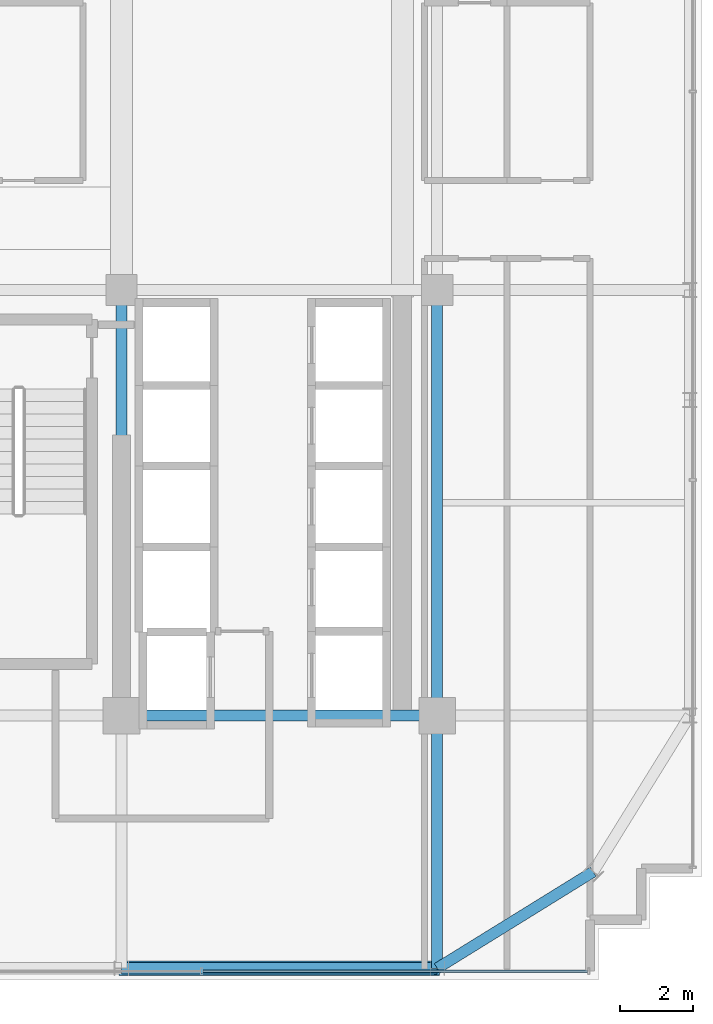
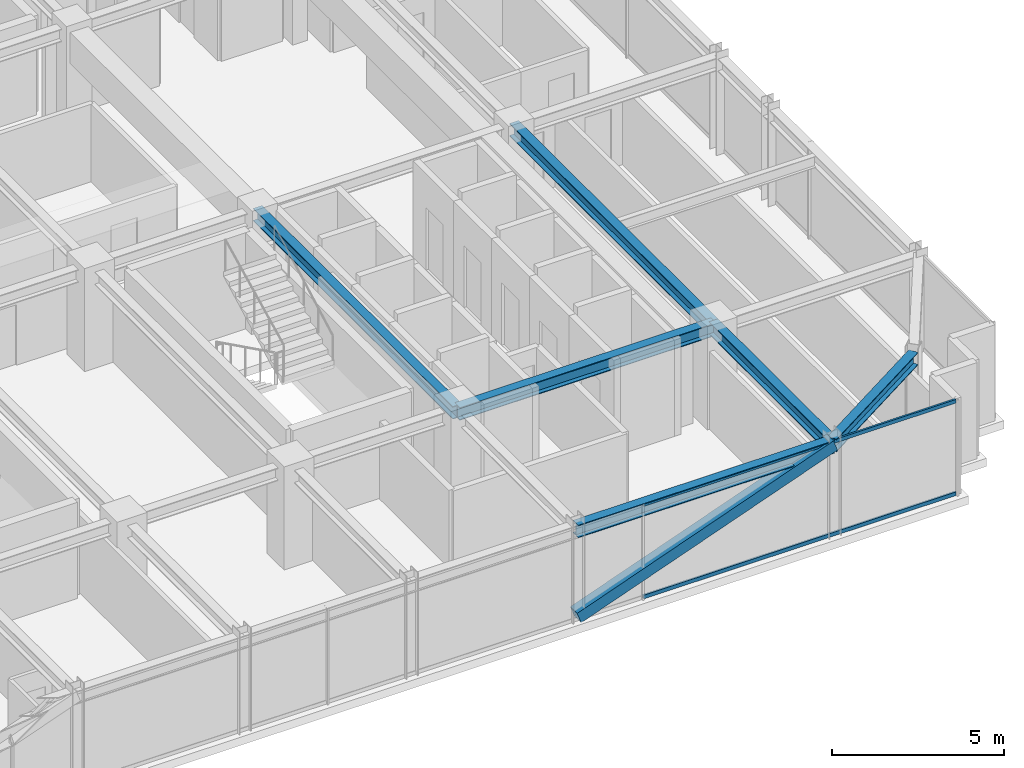
# One storey, part 13 of 36: 6 beams, 3 members, 1 element without a shape of its own.
"""IFC4 building model written with IfcOpenShell, lengths in metres."""

from ifc_helpers import new_model, si_unit, direction, frame, origin, origin_2d, place, context, subcontext, project, spatial, hollow_rectangle, i_section, extrude, source, transform, mapped, material, material_profile, profile_set, type_object, element, aggregate, save


model = new_model("IFC4")

# Units and contexts
model_context = context("Model", 3, precision=1e-05, world=origin(), true_north=direction((0.0, 1.0)))
body_context = subcontext(model_context, "Body", "Model", "MODEL_VIEW")
ifc_project = project(units=[si_unit("LENGTHUNIT", "METRE"), si_unit("AREAUNIT", "SQUARE_METRE"), si_unit("VOLUMEUNIT", "CUBIC_METRE"), si_unit("PLANEANGLEUNIT", "RADIAN"), si_unit("MASSUNIT", "GRAM", prefix="KILO")], contexts=[model_context])

# Site, building, storey
site_placement = place(None, origin())
site = spatial("IfcSite", under=ifc_project, at=site_placement, CompositionType="ELEMENT")
building_placement = place(site_placement, origin())
building = spatial("IfcBuilding", under=site, at=building_placement, Name="Nahalor Promenade Grand Hotel", CompositionType="ELEMENT")
storey_placement = place(building_placement, frame((0.0, 0.0, 212.300048828125)))
storey = spatial("IfcBuildingStorey", under=building, at=storey_placement, Name="L54", CompositionType="ELEMENT", Elevation=212.300048828125)

# Beams
ifc_material_1 = material(Name="Steel S355JR", Category="steel")
ifc_material_profile_1 = material_profile(ifc_material_1, i_section(OverallWidth=0.3, OverallDepth=0.45, WebThickness=0.014, FlangeThickness=0.026, at=origin_2d()), Name="HEB 450")
ifc_profile_set_1 = profile_set([ifc_material_profile_1], Name="Steel S355JR")
beam_type_1 = type_object("IfcBeamType", Name="Beam-Spandrel-HEB450", PredefinedType="SPANDREL", material=ifc_profile_set_1)
shared_shape_1 = source(origin(), body_context, "Body", "SweptSolid", [
    extrude(i_section(OverallWidth=0.3, OverallDepth=0.45, WebThickness=0.014, FlangeThickness=0.026, at=origin_2d()), origin(), (0.0, 0.0, 1.0), 8.60009765625),
])
beam_1_placement = place(storey_placement, frame((8.39990234375, -23.8798828125, 3.18505859375), z_axis=(1.0, 0.0, 0.0), x_axis=(0.0, 1.0, 0.0)))
element("IfcBeam", 1, at=beam_1_placement, inside=storey, type_object=beam_type_1, Name="BM-L54-SP-S-4", PredefinedType="SPANDREL", context=body_context, shape_type="MappedRepresentation", body=[
    mapped(shared_shape_1, transform((0.0, 0.0, 0.0), scale=1.0)),
])
shared_shape_2 = source(origin(), body_context, "Body", "SweptSolid", [
    extrude(i_section(OverallWidth=0.3, OverallDepth=0.45, WebThickness=0.014, FlangeThickness=0.026, at=origin_2d()), origin(), (0.0, 0.0, 1.0), 4.997802734375),
])
beam_2_placement = place(storey_placement, frame((17.0, -23.8798828125, 3.18505859375), z_axis=(0.850360908404, 0.526199891161, 0.0), x_axis=(-0.526199891161, 0.850360908404, 0.0)))
element("IfcBeam", 2, at=beam_2_placement, inside=storey, type_object=beam_type_1, Name="BM-L54-SPC-SE-1", PredefinedType="SPANDREL", context=body_context, shape_type="MappedRepresentation", body=[
    mapped(shared_shape_2, transform((0.0, 0.0, 0.0), scale=1.0)),
])
ifc_material_profile_2 = material_profile(ifc_material_1, i_section(OverallWidth=0.3, OverallDepth=0.45, WebThickness=0.014, FlangeThickness=0.026, at=origin_2d()), Name="HEB 450")
ifc_profile_set_2 = profile_set([ifc_material_profile_2], Name="Steel S355JR")
beam_type_2 = type_object("IfcBeamType", Name="Beam-Girder-HEB450", PredefinedType="BEAM", material=ifc_profile_set_2)
shared_shape_3 = source(origin(), body_context, "Body", "SweptSolid", [
    extrude(i_section(OverallWidth=0.3, OverallDepth=0.45, WebThickness=0.014, FlangeThickness=0.026, at=origin_2d()), origin(), (0.0, 0.0, 1.0), 6.8798828125),
])
beam_3_placement = place(storey_placement, frame((17.0, -23.8798828125, 3.18505859375), z_axis=(0.0, 1.0, 0.0), x_axis=(-1.0, 0.0, 0.0)))
element("IfcBeam", 3, at=beam_3_placement, inside=storey, type_object=beam_type_2, Name="BM-L54-GY-5-0", PredefinedType="BEAM", context=body_context, shape_type="MappedRepresentation", body=[
    mapped(shared_shape_3, transform((0.0, 0.0, 0.0), scale=1.0)),
])
shared_shape_4 = source(origin(), body_context, "Body", "SweptSolid", [
    extrude(i_section(OverallWidth=0.3, OverallDepth=0.45, WebThickness=0.014, FlangeThickness=0.026, at=origin_2d()), origin(), (0.0, 0.0, 1.0), 8.60009765625),
])
beam_4_placement = place(storey_placement, frame((8.39990234375, -17.0, 3.18505859375), z_axis=(1.0, 0.0, 0.0), x_axis=(0.0, 1.0, 0.0)))
element("IfcBeam", 4, at=beam_4_placement, inside=storey, type_object=beam_type_2, Name="BM-L54-GX-0-5", PredefinedType="BEAM", context=body_context, shape_type="MappedRepresentation", body=[
    mapped(shared_shape_4, transform((0.0, 0.0, 0.0), scale=1.0)),
])
shared_shape_5 = source(origin(), body_context, "Body", "SweptSolid", [
    extrude(i_section(OverallWidth=0.3, OverallDepth=0.45, WebThickness=0.014, FlangeThickness=0.026, at=origin_2d()), origin(), (0.0, 0.0, 1.0), 11.60009765625),
])
for number, where, z_axis, x_axis, name in (
    (5, (8.39990234375, -17.0, 3.18505859375), (0.0, 1.0, 0.0), (-1.0, 0.0, 0.0), "BM-L54-GY-4-1"),
    (6, (17.0, -17.0, 3.18505859375), (0.0, 1.0, 0.0), (-1.0, 0.0, 0.0), "BM-L54-GY-5-1"),
):
    element("IfcBeam", number, at=place(storey_placement, frame(where, z_axis=z_axis, x_axis=x_axis)), inside=storey, type_object=beam_type_2, Name=name, PredefinedType="BEAM", context=body_context, shape_type="MappedRepresentation", body=[
        mapped(shared_shape_5, transform((0.0, 0.0, 0.0), scale=1.0)),
    ])

# Member
ifc_material_profile_3 = material_profile(ifc_material_1, hollow_rectangle(XDim=0.4, YDim=0.4, WallThickness=0.022, at=origin_2d()), Name="SHS 400x400x22")
ifc_profile_set_3 = profile_set([ifc_material_profile_3], Name="Steel S355JR")
member_type_1 = type_object("IfcMemberType", Name="Mem-ExoBrace-SHS400", PredefinedType="BRACE", material=ifc_profile_set_3)
shared_shape_6 = source(origin(), body_context, "Body", "SweptSolid", [
    extrude(hollow_rectangle(XDim=0.4, YDim=0.4, WallThickness=0.022, at=origin_2d()), origin(), (0.0, 0.0, 1.0), 9.145263671875),
])
member_1_placement = place(storey_placement, frame((8.39990234375, -23.8798828125, 0.14990234375), z_axis=(0.940396027132, 0.0, 0.340081331676), x_axis=(0.0, 1.0, 0.0)))
element("IfcMember", 7, at=member_1_placement, inside=storey, type_object=member_type_1, Name="EXO-L54-S-1", PredefinedType="BRACE", context=body_context, shape_type="MappedRepresentation", body=[
    mapped(shared_shape_6, transform((0.0, 0.0, 0.0), scale=1.0)),
])

# Curtain wall, members
ifc_material_2 = material(Name="Anodised Bronze Aluminium EN AW-6063 T6", Category="aluminium")
curtain_wall_type = type_object("IfcCurtainWallType", Name="CW2 Typical Hotel Flush Bronze Unitised Curtain Wall", PredefinedType="USERDEFINED", material=ifc_material_2)
curtain_wall_placement = place(storey_placement, origin())
curtain_wall = element("IfcCurtainWall", 8, at=curtain_wall_placement, inside=storey, type_object=curtain_wall_type, Name="L54 Curtain Wall CW-L54-S-1", ObjectType="UNITISED_CURTAIN_WALL", PredefinedType="USERDEFINED")
ifc_material_profile_4 = material_profile(ifc_material_2, hollow_rectangle(XDim=0.065, YDim=0.13, WallThickness=0.004, at=origin_2d()), Name="CWT 65x130x4")
ifc_profile_set_4 = profile_set([ifc_material_profile_4], Name="Anodised Bronze Aluminium EN AW-6063 T6")
member_type_2 = type_object("IfcMemberType", Name="CWT2 Typical Bronze Transom 65x130", PredefinedType="USERDEFINED", material=ifc_profile_set_4)
shared_shape_7 = source(origin(), body_context, "Body", "SweptSolid", [
    extrude(hollow_rectangle(XDim=0.065, YDim=0.13, WallThickness=0.004, at=origin_2d()), origin(), (0.0, 0.0, 1.0), 10.482421875),
])
member_2_placement = place(storey_placement, frame((10.612548828125, -23.9599609375, 0.06494140625), z_axis=(1.0, 0.0, 0.0), x_axis=(0.0, 1.0, 0.0)))
member_2 = element("IfcMember", 9, at=member_2_placement, type_object=member_type_2, Name="CW-L54-S-1 Transom 3-0", ObjectType="TRANSOM", PredefinedType="USERDEFINED", context=body_context, shape_type="MappedRepresentation", body=[
    mapped(shared_shape_7, transform((0.0, 0.0, 0.0), scale=1.0)),
])
member_3_placement = place(storey_placement, frame((10.612548828125, -23.9599609375, 3.344970703125), z_axis=(1.0, 0.0, 0.0), x_axis=(0.0, 1.0, 0.0)))
member_3 = element("IfcMember", 10, at=member_3_placement, type_object=member_type_2, Name="CW-L54-S-1 Transom 3-1", ObjectType="TRANSOM", PredefinedType="USERDEFINED", context=body_context, shape_type="MappedRepresentation", body=[
    mapped(shared_shape_7, transform((0.0, 0.0, 0.0), scale=1.0)),
])
aggregate(curtain_wall, [member_2, member_3])

save(model, "model.ifc")
